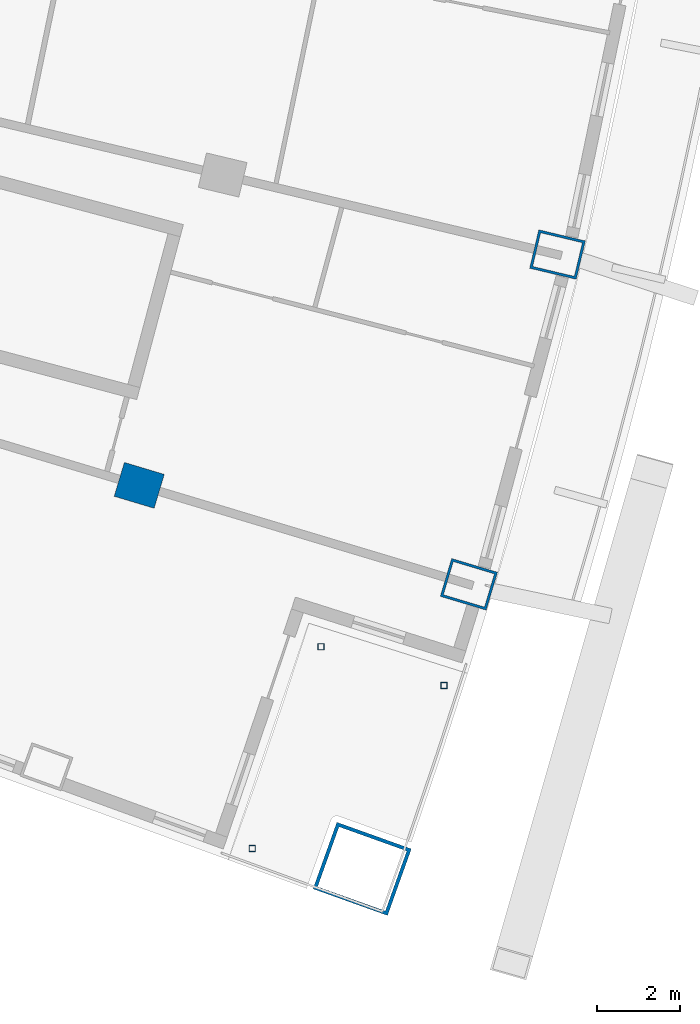
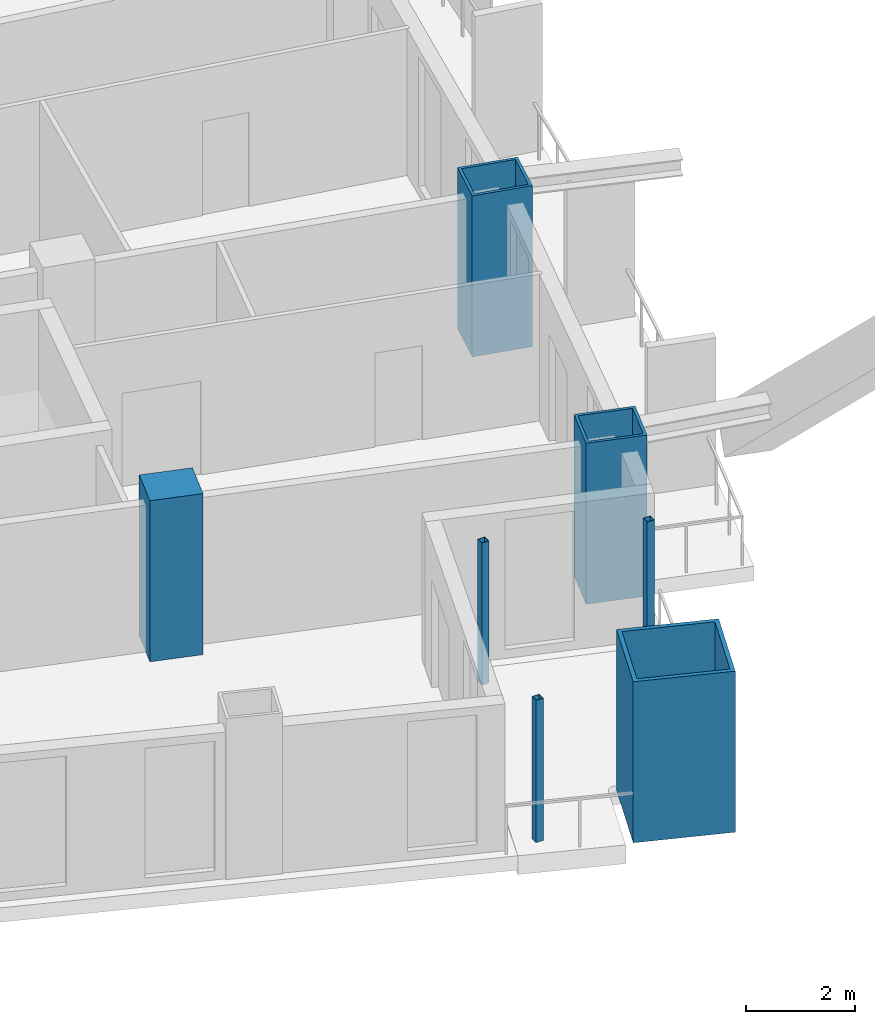
# One storey, part 5 of 25: 7 columns.
"""IFC4 building model written with IfcOpenShell, lengths in metres."""

from ifc_helpers import new_model, si_unit, direction, frame, origin, origin_2d, place, context, subcontext, project, spatial, rectangle, hollow_rectangle, extrude, material, material_profile, profile_set, type_object, element, save


model = new_model("IFC4")

# Units and contexts
model_context = context("Model", 3, precision=1e-05, world=origin(), true_north=direction((0.0, 1.0)))
body_context = subcontext(model_context, "Body", "Model", "MODEL_VIEW")
ifc_project = project(units=[si_unit("LENGTHUNIT", "METRE"), si_unit("AREAUNIT", "SQUARE_METRE"), si_unit("VOLUMEUNIT", "CUBIC_METRE"), si_unit("PLANEANGLEUNIT", "RADIAN"), si_unit("MASSUNIT", "GRAM", prefix="KILO")], contexts=[model_context])

# Site, building, storey
site_placement = place(None, origin())
site = spatial("IfcSite", under=ifc_project, at=site_placement, CompositionType="ELEMENT")
building_placement = place(site_placement, origin())
building = spatial("IfcBuilding", under=site, at=building_placement, Name="Alderwake Tower", CompositionType="ELEMENT")
storey_placement = place(building_placement, frame((0.0, 0.0, 114.800048828125)))
storey = spatial("IfcBuildingStorey", under=building, at=storey_placement, Name="L28", CompositionType="ELEMENT", Elevation=114.800048828125)

# Columns
ifc_material_1 = material(Name="Concrete C70/85", Category="concrete")
ifc_material_profile_1 = material_profile(ifc_material_1, rectangle(XDim=0.85009765625, YDim=1.0, at=origin_2d()), Name="RC 1000X850")
ifc_profile_set_1 = profile_set([ifc_material_profile_1], Name="Concrete C70/85")
column_type_1 = type_object("IfcColumnType", Name="Interior column Z2", PredefinedType="COLUMN", material=ifc_profile_set_1)
column_1_placement = place(storey_placement, frame((46.744384765625, 22.94775390625, 0.0), z_axis=(0.0, 0.0, 1.0), x_axis=(0.287549418125, 0.957765802342, 0.0)))
element("IfcColumn", 1, at=column_1_placement, inside=storey, type_object=column_type_1, Name="Column R02-C4", PredefinedType="COLUMN", context=body_context, shape_type="SweptSolid", body=[
    extrude(rectangle(XDim=0.85009765625, YDim=1.0, at=origin_2d()), origin(), (0.0, 0.0, 1.0), 3.599853515625),
])
ifc_material_2 = material(Name="Steel ASTM A500 Grade C", Category="steel")
ifc_material_profile_2 = material_profile(ifc_material_2, hollow_rectangle(XDim=0.15234375, YDim=0.15234375, WallThickness=0.0087890625, at=origin_2d()), Name="HSS6X6X3/8")
ifc_profile_set_2 = profile_set([ifc_material_profile_2], Name="Steel ASTM A500 Grade C")
column_type_2 = type_object("IfcColumnType", Name="Light post HSS6X6X3/8", PredefinedType="COLUMN", material=ifc_profile_set_2)
for number, where, z_axis, x_axis, name in (
    (2, (54.064697265625, 18.13720703125, 0.0), (0.0, 0.0, 1.0), (1.0, 0.0, 0.0), "Terrace post FS1"),
    (3, (49.458251953125, 14.22314453125, 0.0), (0.0, 0.0, 1.0), (1.0, 0.0, 0.0), "Terrace post FS2"),
    (4, (51.10888671875, 19.07177734375, 0.0), (0.0, 0.0, 1.0), (1.0, 0.0, 0.0), "Terrace post FS3"),
):
    element("IfcColumn", number, at=place(storey_placement, frame(where, z_axis=z_axis, x_axis=x_axis)), inside=storey, type_object=column_type_2, Name=name, PredefinedType="COLUMN", context=body_context, shape_type="SweptSolid", body=[
        extrude(hollow_rectangle(XDim=0.15234375, YDim=0.15234375, WallThickness=0.0087890625, at=origin_2d()), origin(), (0.0, 0.0, 1.0), 3.179931640625),
    ])
ifc_material_3 = material(Name="Steel ASTM A572 Grade 50 concrete filled C70/85", Category="concrete")
ifc_material_profile_3 = material_profile(ifc_material_3, hollow_rectangle(XDim=1.699951171875, YDim=1.89990234375, WallThickness=0.0849609375, at=origin_2d()), Name="BOX 1900X1700X85")
ifc_profile_set_3 = profile_set([ifc_material_profile_3], Name="Steel ASTM A572 Grade 50 concrete filled C70/85")
column_type_3 = type_object("IfcColumnType", Name="Mega column Z2", PredefinedType="COLUMN", material=ifc_profile_set_3)
column_2_placement = place(storey_placement, frame((52.09912109375, 13.736083984375, 0.0), z_axis=(0.0, 0.0, 1.0), x_axis=(0.336878350236, 0.941548180999, 0.0)))
element("IfcColumn", 5, at=column_2_placement, inside=storey, type_object=column_type_3, Name="Column R01-C5", PredefinedType="COLUMN", context=body_context, shape_type="SweptSolid", body=[
    extrude(hollow_rectangle(XDim=1.699951171875, YDim=1.89990234375, WallThickness=0.0849609375, at=origin_2d()), origin(), (0.0, 0.0, 1.0), 3.599853515625),
])
ifc_material_4 = material(Name="Steel ASTM A572 Grade 50 concrete filled C70/85", Category="concrete")
ifc_material_profile_4 = material_profile(ifc_material_4, hollow_rectangle(XDim=0.949951171875, YDim=1.14990234375, WallThickness=0.06005859375, at=origin_2d()), Name="BOX 1150X950X60")
ifc_profile_set_4 = profile_set([ifc_material_profile_4], Name="Steel ASTM A572 Grade 50 concrete filled C70/85")
column_type_4 = type_object("IfcColumnType", Name="Perimeter column Z2", PredefinedType="COLUMN", material=ifc_profile_set_4)
for number, where, z_axis, x_axis, name in (
    (6, (54.661865234375, 20.570556640625, 0.0), (0.0, 0.0, 1.0), (0.287549418125, 0.957765802342, 0.0), "Column R02-C5"),
    (7, (56.789794921875, 28.490234375, 0.0), (0.0, 0.0, 1.0), (0.231221547198, 0.972901123502, 0.0), "Column R03-C5"),
):
    element("IfcColumn", number, at=place(storey_placement, frame(where, z_axis=z_axis, x_axis=x_axis)), inside=storey, type_object=column_type_4, Name=name, PredefinedType="COLUMN", context=body_context, shape_type="SweptSolid", body=[
        extrude(hollow_rectangle(XDim=0.949951171875, YDim=1.14990234375, WallThickness=0.06005859375, at=origin_2d()), origin(), (0.0, 0.0, 1.0), 3.599853515625),
    ])

save(model, "model.ifc")
